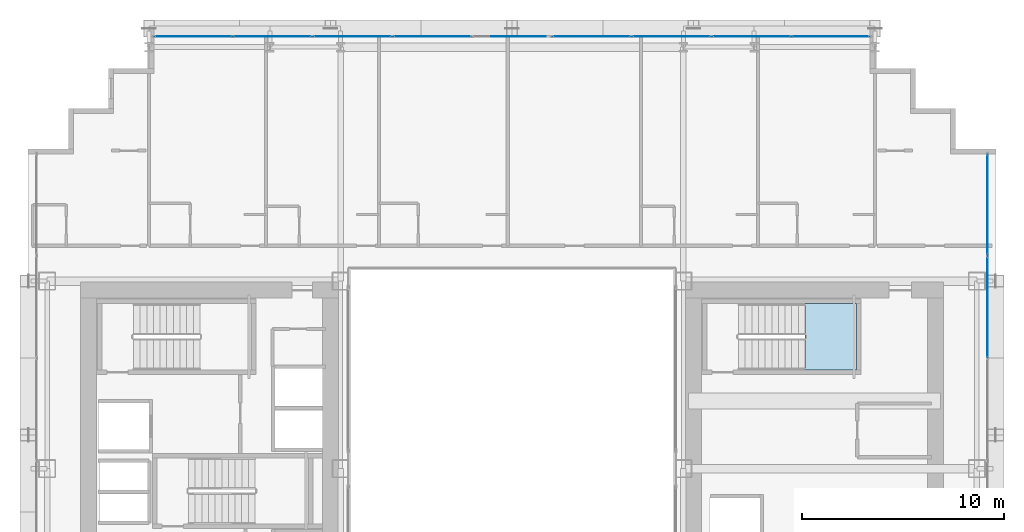
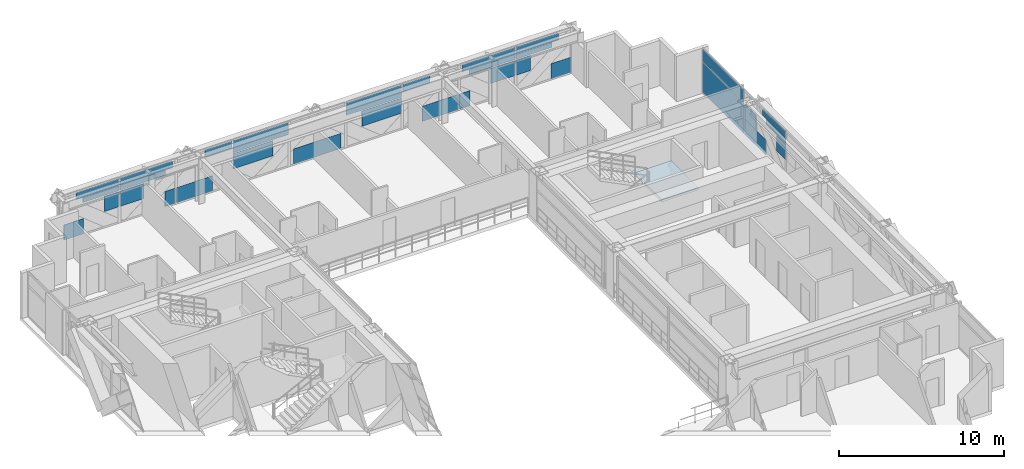
# One storey, part 30 of 41: 32 plates, 1 slab, 3 elements without a shape of their own.
"""IFC4 building model written with IfcOpenShell, lengths in metres."""

from ifc_helpers import new_model, si_unit, direction, frame, origin, origin_2d, place, context, subcontext, project, spatial, polyline, rectangle, outline, extrude, source, transform, mapped, material, layer, layer_set, type_object, element, aggregate, save


model = new_model("IFC4")

# Units and contexts
model_context = context("Model", 3, precision=1e-05, world=origin(), true_north=direction((0.0, 1.0)))
body_context = subcontext(model_context, "Body", "Model", "MODEL_VIEW")
ifc_project = project(units=[si_unit("LENGTHUNIT", "METRE"), si_unit("AREAUNIT", "SQUARE_METRE"), si_unit("VOLUMEUNIT", "CUBIC_METRE"), si_unit("PLANEANGLEUNIT", "RADIAN"), si_unit("MASSUNIT", "GRAM", prefix="KILO")], contexts=[model_context])

# Site, building, storey
site_placement = place(None, origin())
site = spatial("IfcSite", under=ifc_project, at=site_placement, CompositionType="ELEMENT")
building_placement = place(site_placement, origin())
building = spatial("IfcBuilding", under=site, at=building_placement, Name="Ocotamira Hotel", CompositionType="ELEMENT")
storey_placement = place(building_placement, frame((0.0, 0.0, 52.800048828125)))
storey = spatial("IfcBuildingStorey", under=building, at=storey_placement, Name="L12", CompositionType="ELEMENT", Elevation=52.800048828125)

# Stair, slab
ifc_material_1 = material(Name="Concrete C40/50", Category="concrete")
stair_type = type_object("IfcStairType", Name="ST-CORE-1560", PredefinedType="HALF_TURN_STAIR", material=ifc_material_1)
stair_placement = place(storey_placement, origin())
stair = element("IfcStair", 1, at=stair_placement, inside=storey, type_object=stair_type, Name="L12 Exit Stair ST-4", PredefinedType="HALF_TURN_STAIR")
ifc_layer_1 = layer(ifc_material_1, 0.199951171875)
ifc_layer_set_1 = layer_set([ifc_layer_1], Name="Concrete C40/50")
slab_type = type_object("IfcSlabType", Name="SLB-LAND-200", PredefinedType="LANDING", material=ifc_layer_set_1)
slab_placement = place(storey_placement, frame((0.0, 0.0, 1.599853515625)))
slab = element("IfcSlab", 2, at=slab_placement, type_object=slab_type, Name="ST-4 landing 1", PredefinedType="LANDING", context=body_context, shape_type="SweptSolid", body=[
    extrude(outline(polyline([(46.530029296875, 33.050048828125), (49.090087890625, 33.050048828125), (49.090087890625, 36.330078125), (46.530029296875, 36.330078125), (46.530029296875, 33.050048828125)])), origin(), (0.0, 0.0, 1.0), 0.2001953125),
])
aggregate(stair, [slab])

# Curtain wall, plates
ifc_material_2 = material(Name="Anodised pale-metal aluminium and solar glass", Category="aluminium")
ifc_layer_2 = layer(ifc_material_2, 0.179931640625)
ifc_layer_set_2 = layer_set([ifc_layer_2], Name="Anodised pale-metal aluminium and solar glass")
curtain_wall_type = type_object("IfcCurtainWallType", Name="CW-SYS2-Z1", PredefinedType="NOTDEFINED", material=ifc_layer_set_2)
curtain_wall_1_placement = place(storey_placement, origin())
curtain_wall_1 = element("IfcCurtainWall", 3, at=curtain_wall_1_placement, inside=storey, type_object=curtain_wall_type, Name="L12 Curtain Wall CW-2 CW-L12-N", PredefinedType="NOTDEFINED")
ifc_material_3 = material(Name="Double-silver low-E insulated solar glass", Category="glass")
ifc_layer_3 = layer(ifc_material_3, 0.031982421875)
ifc_layer_set_3 = layer_set([ifc_layer_3], Name="Double-silver low-E insulated solar glass")
plate_type = type_object("IfcPlateType", Name="CWP-VISION-32", PredefinedType="CURTAIN_PANEL", material=ifc_layer_set_3)
shared_shape_1 = source(origin(), body_context, "Body", "SweptSolid", [
    extrude(rectangle(XDim=3.87548828125, YDim=0.031982421875, at=origin_2d()), origin(), (0.0, 0.0, 1.0), 0.887451171875),
])
plate_1_placement = place(storey_placement, frame((28.04443359375, 49.580078125, 2.3876953125), z_axis=(0.0, 0.0, 1.0), x_axis=(1.0, 0.0, 0.0)))
plate_1 = element("IfcPlate", 4, at=plate_1_placement, type_object=plate_type, Name="CW-2 panel 4.2", PredefinedType="CURTAIN_PANEL", context=body_context, shape_type="MappedRepresentation", body=[
    mapped(shared_shape_1, transform((0.0, 0.0, 0.0), scale=1.0)),
])
plate_2_placement = place(storey_placement, frame((35.95556640625, 49.580078125, 2.3876953125), z_axis=(0.0, 0.0, 1.0), x_axis=(1.0, 0.0, 0.0)))
plate_2 = element("IfcPlate", 5, at=plate_2_placement, type_object=plate_type, Name="CW-2 panel 6.2", PredefinedType="CURTAIN_PANEL", context=body_context, shape_type="MappedRepresentation", body=[
    mapped(shared_shape_1, transform((0.0, 0.0, 0.0), scale=1.0)),
])

curtain_wall_2_placement = place(storey_placement, origin())
curtain_wall_2 = element("IfcCurtainWall", 6, at=curtain_wall_2_placement, inside=storey, type_object=curtain_wall_type, Name="L12 Curtain Wall CW-2 CW-L12-E", PredefinedType="NOTDEFINED")
shared_shape_2 = source(origin(), body_context, "Body", "SweptSolid", [
    extrude(rectangle(XDim=4.9658203125, YDim=0.031982421875, at=origin_2d()), origin(), (0.0, 0.0, 1.0), 2.237548828125),
])
plate_3_placement = place(storey_placement, frame((55.580078125, 41.237060546875, 0.07470703125), z_axis=(0.0, 0.0, 1.0), x_axis=(0.0, 1.0, 0.0)))
plate_3 = element("IfcPlate", 7, at=plate_3_placement, type_object=plate_type, Name="CW-2 panel 7.1", PredefinedType="CURTAIN_PANEL", context=body_context, shape_type="MappedRepresentation", body=[
    mapped(shared_shape_2, transform((0.0, 0.0, 0.0), scale=1.0)),
])
shared_shape_3 = source(origin(), body_context, "Body", "SweptSolid", [
    extrude(rectangle(XDim=4.9658203125, YDim=0.031982421875, at=origin_2d()), origin(), (0.0, 0.0, 1.0), 0.887451171875),
])
plate_4_placement = place(storey_placement, frame((55.580078125, 41.237060546875, 2.3876953125), z_axis=(0.0, 0.0, 1.0), x_axis=(0.0, 1.0, 0.0)))
plate_4 = element("IfcPlate", 8, at=plate_4_placement, type_object=plate_type, Name="CW-2 panel 7.2", PredefinedType="CURTAIN_PANEL", context=body_context, shape_type="MappedRepresentation", body=[
    mapped(shared_shape_3, transform((0.0, 0.0, 0.0), scale=1.0)),
])

# Plate
shared_shape_4 = source(origin(), body_context, "Body", "SweptSolid", [
    extrude(rectangle(XDim=1.382568359375, YDim=0.031982421875, at=origin_2d()), origin(), (0.0, 0.0, 1.0), 1.11865234375),
])
plate_5_placement = place(storey_placement, frame((14.97119140625, 49.580078125, 0.074951171875), z_axis=(0.0, 0.0, 1.0), x_axis=(1.0, 0.0, 0.0)))
plate_5 = element("IfcPlate", 9, at=plate_5_placement, type_object=plate_type, Name="CW-2 panel 1.1.1", PredefinedType="CURTAIN_PANEL", context=body_context, shape_type="MappedRepresentation", body=[
    mapped(shared_shape_4, transform((0.0, 0.0, 0.0), scale=1.0)),
])

plate_6_placement = place(storey_placement, frame((49.02880859375, 49.580078125, 0.074951171875), z_axis=(0.0, 0.0, 1.0), x_axis=(1.0, 0.0, 0.0)))
plate_6 = element("IfcPlate", 10, at=plate_6_placement, type_object=plate_type, Name="CW-2 panel 9.1.2", PredefinedType="CURTAIN_PANEL", context=body_context, shape_type="MappedRepresentation", body=[
    mapped(shared_shape_4, transform((0.0, 0.0, 0.0), scale=1.0)),
])

shared_shape_5 = source(origin(), body_context, "Body", "SweptSolid", [
    extrude(rectangle(XDim=1.012451171875, YDim=0.031982421875, at=origin_2d()), origin(), (0.0, 0.0, 1.0), 1.11865234375),
])
plate_7_placement = place(storey_placement, frame((17.609375, 49.580078125, 1.193603515625), z_axis=(0.0, 0.0, 1.0), x_axis=(1.0, 0.0, 0.0)))
plate_7 = element("IfcPlate", 11, at=plate_7_placement, type_object=plate_type, Name="CW-2 panel 1.1.2", PredefinedType="CURTAIN_PANEL", context=body_context, shape_type="MappedRepresentation", body=[
    mapped(shared_shape_5, transform((0.0, 0.0, 0.0), scale=1.0)),
])

plate_8_placement = place(storey_placement, frame((46.390625, 49.580078125, 1.193603515625), z_axis=(0.0, 0.0, 1.0), x_axis=(1.0, 0.0, 0.0)))
plate_8 = element("IfcPlate", 12, at=plate_8_placement, type_object=plate_type, Name="CW-2 panel 9.1.1", PredefinedType="CURTAIN_PANEL", context=body_context, shape_type="MappedRepresentation", body=[
    mapped(shared_shape_5, transform((0.0, 0.0, 0.0), scale=1.0)),
])

shared_shape_6 = source(origin(), body_context, "Body", "SweptSolid", [
    extrude(rectangle(XDim=2.9755859375, YDim=0.031982421875, at=origin_2d()), origin(), (0.0, 0.0, 1.0), 0.5107421875),
])
plate_9_placement = place(storey_placement, frame((16.627685546875, 49.580078125, 2.76416015625), z_axis=(0.0, 0.0, 1.0), x_axis=(1.0, 0.0, 0.0)))
plate_9 = element("IfcPlate", 13, at=plate_9_placement, type_object=plate_type, Name="CW-2 panel 1.2.1", PredefinedType="CURTAIN_PANEL", context=body_context, shape_type="MappedRepresentation", body=[
    mapped(shared_shape_6, transform((0.0, 0.0, 0.0), scale=1.0)),
])

plate_10_placement = place(storey_placement, frame((47.372314453125, 49.580078125, 2.76416015625), z_axis=(0.0, 0.0, 1.0), x_axis=(1.0, 0.0, 0.0)))
plate_10 = element("IfcPlate", 14, at=plate_10_placement, type_object=plate_type, Name="CW-2 panel 9.2.2", PredefinedType="CURTAIN_PANEL", context=body_context, shape_type="MappedRepresentation", body=[
    mapped(shared_shape_6, transform((0.0, 0.0, 0.0), scale=1.0)),
])

shared_shape_7 = source(origin(), body_context, "Body", "SweptSolid", [
    extrude(rectangle(XDim=2.504638671875, YDim=0.031982421875, at=origin_2d()), origin(), (0.0, 0.0, 1.0), 0.345458984375),
])
plate_11_placement = place(storey_placement, frame((16.86328125, 49.580078125, 2.38720703125), z_axis=(0.0, 0.0, 1.0), x_axis=(1.0, 0.0, 0.0)))
plate_11 = element("IfcPlate", 15, at=plate_11_placement, type_object=plate_type, Name="CW-2 panel 1.2.2", PredefinedType="CURTAIN_PANEL", context=body_context, shape_type="MappedRepresentation", body=[
    mapped(shared_shape_7, transform((0.0, 0.0, 0.0), scale=1.0)),
])

plate_12_placement = place(storey_placement, frame((47.13671875, 49.580078125, 2.38720703125), z_axis=(0.0, 0.0, 1.0), x_axis=(1.0, 0.0, 0.0)))
plate_12 = element("IfcPlate", 16, at=plate_12_placement, type_object=plate_type, Name="CW-2 panel 9.2.1", PredefinedType="CURTAIN_PANEL", context=body_context, shape_type="MappedRepresentation", body=[
    mapped(shared_shape_7, transform((0.0, 0.0, 0.0), scale=1.0)),
])

shared_shape_8 = source(origin(), body_context, "Body", "SweptSolid", [
    extrude(rectangle(XDim=1.701416015625, YDim=0.031982421875, at=origin_2d()), origin(), (0.0, 0.0, 1.0), 1.11865234375),
])
plate_13_placement = place(storey_placement, frame((19.046142578125, 49.580078125, 1.193603515625), z_axis=(0.0, 0.0, 1.0), x_axis=(1.0, 0.0, 0.0)))
plate_13 = element("IfcPlate", 17, at=plate_13_placement, type_object=plate_type, Name="CW-2 panel 2.1.1", PredefinedType="CURTAIN_PANEL", context=body_context, shape_type="MappedRepresentation", body=[
    mapped(shared_shape_8, transform((0.0, 0.0, 0.0), scale=1.0)),
])

plate_14_placement = place(storey_placement, frame((44.953857421875, 49.580078125, 1.193603515625), z_axis=(0.0, 0.0, 1.0), x_axis=(1.0, 0.0, 0.0)))
plate_14 = element("IfcPlate", 18, at=plate_14_placement, type_object=plate_type, Name="CW-2 panel 8.1.2", PredefinedType="CURTAIN_PANEL", context=body_context, shape_type="MappedRepresentation", body=[
    mapped(shared_shape_8, transform((0.0, 0.0, 0.0), scale=1.0)),
])

shared_shape_9 = source(origin(), body_context, "Body", "SweptSolid", [
    extrude(rectangle(XDim=0.733642578125, YDim=0.031982421875, at=origin_2d()), origin(), (0.0, 0.0, 1.0), 1.11865234375),
])
plate_15_placement = place(storey_placement, frame((21.704345703125, 49.580078125, 0.074951171875), z_axis=(0.0, 0.0, 1.0), x_axis=(1.0, 0.0, 0.0)))
plate_15 = element("IfcPlate", 19, at=plate_15_placement, type_object=plate_type, Name="CW-2 panel 2.1.2", PredefinedType="CURTAIN_PANEL", context=body_context, shape_type="MappedRepresentation", body=[
    mapped(shared_shape_9, transform((0.0, 0.0, 0.0), scale=1.0)),
])

plate_16_placement = place(storey_placement, frame((42.295654296875, 49.580078125, 0.074951171875), z_axis=(0.0, 0.0, 1.0), x_axis=(1.0, 0.0, 0.0)))
plate_16 = element("IfcPlate", 20, at=plate_16_placement, type_object=plate_type, Name="CW-2 panel 8.1.1", PredefinedType="CURTAIN_PANEL", context=body_context, shape_type="MappedRepresentation", body=[
    mapped(shared_shape_9, transform((0.0, 0.0, 0.0), scale=1.0)),
])

shared_shape_10 = source(origin(), body_context, "Body", "SweptSolid", [
    extrude(rectangle(XDim=3.193603515625, YDim=0.031982421875, at=origin_2d()), origin(), (0.0, 0.0, 1.0), 0.376708984375),
])
plate_17_placement = place(storey_placement, frame((19.792236328125, 49.580078125, 2.3876953125), z_axis=(0.0, 0.0, 1.0), x_axis=(1.0, 0.0, 0.0)))
plate_17 = element("IfcPlate", 21, at=plate_17_placement, type_object=plate_type, Name="CW-2 panel 2.2.1", PredefinedType="CURTAIN_PANEL", context=body_context, shape_type="MappedRepresentation", body=[
    mapped(shared_shape_10, transform((0.0, 0.0, 0.0), scale=1.0)),
])

plate_18_placement = place(storey_placement, frame((44.207763671875, 49.580078125, 2.3876953125), z_axis=(0.0, 0.0, 1.0), x_axis=(1.0, 0.0, 0.0)))
plate_18 = element("IfcPlate", 22, at=plate_18_placement, type_object=plate_type, Name="CW-2 panel 8.2.2", PredefinedType="CURTAIN_PANEL", context=body_context, shape_type="MappedRepresentation", body=[
    mapped(shared_shape_10, transform((0.0, 0.0, 0.0), scale=1.0)),
])

shared_shape_11 = source(origin(), body_context, "Body", "SweptSolid", [
    extrude(rectangle(XDim=3.664306640625, YDim=0.031982421875, at=origin_2d()), origin(), (0.0, 0.0, 1.0), 0.5107421875),
])
plate_19_placement = place(storey_placement, frame((20.027587890625, 49.580078125, 2.76416015625), z_axis=(0.0, 0.0, 1.0), x_axis=(1.0, 0.0, 0.0)))
plate_19 = element("IfcPlate", 23, at=plate_19_placement, type_object=plate_type, Name="CW-2 panel 2.2.2", PredefinedType="CURTAIN_PANEL", context=body_context, shape_type="MappedRepresentation", body=[
    mapped(shared_shape_11, transform((0.0, 0.0, 0.0), scale=1.0)),
])

plate_20_placement = place(storey_placement, frame((43.972412109375, 49.580078125, 2.76416015625), z_axis=(0.0, 0.0, 1.0), x_axis=(1.0, 0.0, 0.0)))
plate_20 = element("IfcPlate", 24, at=plate_20_placement, type_object=plate_type, Name="CW-2 panel 8.2.1", PredefinedType="CURTAIN_PANEL", context=body_context, shape_type="MappedRepresentation", body=[
    mapped(shared_shape_11, transform((0.0, 0.0, 0.0), scale=1.0)),
])

shared_shape_12 = source(origin(), body_context, "Body", "SweptSolid", [
    extrude(rectangle(XDim=2.51123046875, YDim=0.031982421875, at=origin_2d()), origin(), (0.0, 0.0, 1.0), 1.11865234375),
])
plate_21_placement = place(storey_placement, frame((23.40673828125, 49.580078125, 0.074951171875), z_axis=(0.0, 0.0, 1.0), x_axis=(1.0, 0.0, 0.0)))
plate_21 = element("IfcPlate", 25, at=plate_21_placement, type_object=plate_type, Name="CW-2 panel 3.1.1", PredefinedType="CURTAIN_PANEL", context=body_context, shape_type="MappedRepresentation", body=[
    mapped(shared_shape_12, transform((0.0, 0.0, 0.0), scale=1.0)),
])

shared_shape_13 = source(origin(), body_context, "Body", "SweptSolid", [
    extrude(rectangle(XDim=1.88671875, YDim=0.031982421875, at=origin_2d()), origin(), (0.0, 0.0, 1.0), 0.5107421875),
])
plate_22_placement = place(storey_placement, frame((25.08349609375, 49.580078125, 2.76416015625), z_axis=(0.0, 0.0, 1.0), x_axis=(1.0, 0.0, 0.0)))
plate_22 = element("IfcPlate", 26, at=plate_22_placement, type_object=plate_type, Name="CW-2 panel 3.2.1", PredefinedType="CURTAIN_PANEL", context=body_context, shape_type="MappedRepresentation", body=[
    mapped(shared_shape_13, transform((0.0, 0.0, 0.0), scale=1.0)),
])

plate_23_placement = place(storey_placement, frame((38.91650390625, 49.580078125, 2.76416015625), z_axis=(0.0, 0.0, 1.0), x_axis=(1.0, 0.0, 0.0)))
plate_23 = element("IfcPlate", 27, at=plate_23_placement, type_object=plate_type, Name="CW-2 panel 7.2.1", PredefinedType="CURTAIN_PANEL", context=body_context, shape_type="MappedRepresentation", body=[
    mapped(shared_shape_13, transform((0.0, 0.0, 0.0), scale=1.0)),
])

shared_shape_14 = source(origin(), body_context, "Body", "SweptSolid", [
    extrude(rectangle(XDim=2.790283203125, YDim=0.031982421875, at=origin_2d()), origin(), (0.0, 0.0, 1.0), 1.11865234375),
])
plate_24_placement = place(storey_placement, frame((27.501708984375, 49.580078125, 1.193603515625), z_axis=(0.0, 0.0, 1.0), x_axis=(1.0, 0.0, 0.0)))
plate_24 = element("IfcPlate", 28, at=plate_24_placement, type_object=plate_type, Name="CW-2 panel 4.1.1", PredefinedType="CURTAIN_PANEL", context=body_context, shape_type="MappedRepresentation", body=[
    mapped(shared_shape_14, transform((0.0, 0.0, 0.0), scale=1.0)),
])

plate_25_placement = place(storey_placement, frame((36.498291015625, 49.580078125, 1.193603515625), z_axis=(0.0, 0.0, 1.0), x_axis=(1.0, 0.0, 0.0)))
plate_25 = element("IfcPlate", 29, at=plate_25_placement, type_object=plate_type, Name="CW-2 panel 6.1.1", PredefinedType="CURTAIN_PANEL", context=body_context, shape_type="MappedRepresentation", body=[
    mapped(shared_shape_14, transform((0.0, 0.0, 0.0), scale=1.0)),
])

shared_shape_15 = source(origin(), body_context, "Body", "SweptSolid", [
    extrude(rectangle(XDim=3.324951171875, YDim=0.031982421875, at=origin_2d()), origin(), (0.0, 0.0, 1.0), 1.11865234375),
])
plate_26_placement = place(storey_placement, frame((32.0, 49.580078125, 0.074951171875), z_axis=(0.0, 0.0, 1.0), x_axis=(1.0, 0.0, 0.0)))
plate_26 = element("IfcPlate", 30, at=plate_26_placement, type_object=plate_type, Name="CW-2 panel 5.1.1", PredefinedType="CURTAIN_PANEL", context=body_context, shape_type="MappedRepresentation", body=[
    mapped(shared_shape_15, transform((0.0, 0.0, 0.0), scale=1.0)),
])

shared_shape_16 = source(origin(), body_context, "Body", "SweptSolid", [
    extrude(rectangle(XDim=2.511474609375, YDim=0.031982421875, at=origin_2d()), origin(), (0.0, 0.0, 1.0), 1.11865234375),
])
plate_27_placement = place(storey_placement, frame((40.59326171875, 49.580078125, 0.074951171875), z_axis=(0.0, 0.0, 1.0), x_axis=(1.0, 0.0, 0.0)))
plate_27 = element("IfcPlate", 31, at=plate_27_placement, type_object=plate_type, Name="CW-2 panel 7.1.1", PredefinedType="CURTAIN_PANEL", context=body_context, shape_type="MappedRepresentation", body=[
    mapped(shared_shape_16, transform((0.0, 0.0, 0.0), scale=1.0)),
])

aggregate(curtain_wall_1, [plate_5, plate_7, plate_9, plate_11, plate_13, plate_15, plate_17, plate_19, plate_21, plate_22, plate_24, plate_1, plate_26, plate_25, plate_2, plate_27, plate_23, plate_16, plate_14, plate_20, plate_18, plate_8, plate_6, plate_12, plate_10])

shared_shape_17 = source(origin(), body_context, "Body", "SweptSolid", [
    extrude(rectangle(XDim=2.58935546875, YDim=0.031982421875, at=origin_2d()), origin(), (0.0, 0.0, 1.0), 1.11865234375),
])
plate_28_placement = place(storey_placement, frame((55.580078125, 37.379638671875, 0.074951171875), z_axis=(0.0, 0.0, 1.0), x_axis=(0.0, 1.0, 0.0)))
plate_28 = element("IfcPlate", 32, at=plate_28_placement, type_object=plate_type, Name="CW-2 panel 6.1.2", PredefinedType="CURTAIN_PANEL", context=body_context, shape_type="MappedRepresentation", body=[
    mapped(shared_shape_17, transform((0.0, 0.0, 0.0), scale=1.0)),
])

shared_shape_18 = source(origin(), body_context, "Body", "SweptSolid", [
    extrude(rectangle(XDim=1.4033203125, YDim=0.031982421875, at=origin_2d()), origin(), (0.0, 0.0, 1.0), 1.11865234375),
])
plate_29_placement = place(storey_placement, frame((55.580078125, 37.97265625, 1.193603515625), z_axis=(0.0, 0.0, 1.0), x_axis=(0.0, 1.0, 0.0)))
plate_29 = element("IfcPlate", 33, at=plate_29_placement, type_object=plate_type, Name="CW-2 panel 6.1.3", PredefinedType="CURTAIN_PANEL", context=body_context, shape_type="MappedRepresentation", body=[
    mapped(shared_shape_18, transform((0.0, 0.0, 0.0), scale=1.0)),
])

shared_shape_19 = source(origin(), body_context, "Body", "SweptSolid", [
    extrude(rectangle(XDim=1.104736328125, YDim=0.031982421875, at=origin_2d()), origin(), (0.0, 0.0, 1.0), 1.11865234375),
])
plate_30_placement = place(storey_placement, frame((55.580078125, 34.220947265625, 1.193603515625), z_axis=(0.0, 0.0, 1.0), x_axis=(0.0, 1.0, 0.0)))
plate_30 = element("IfcPlate", 34, at=plate_30_placement, type_object=plate_type, Name="CW-2 panel 6.1.1", PredefinedType="CURTAIN_PANEL", context=body_context, shape_type="MappedRepresentation", body=[
    mapped(shared_shape_19, transform((0.0, 0.0, 0.0), scale=1.0)),
])

shared_shape_20 = source(origin(), body_context, "Body", "SweptSolid", [
    extrude(rectangle(XDim=2.796630859375, YDim=0.031982421875, at=origin_2d()), origin(), (0.0, 0.0, 1.0), 0.485107421875),
])
plate_31_placement = place(storey_placement, frame((55.580078125, 35.06689453125, 2.7900390625), z_axis=(0.0, 0.0, 1.0), x_axis=(0.0, 1.0, 0.0)))
plate_31 = element("IfcPlate", 35, at=plate_31_placement, type_object=plate_type, Name="CW-2 panel 6.2.2", PredefinedType="CURTAIN_PANEL", context=body_context, shape_type="MappedRepresentation", body=[
    mapped(shared_shape_20, transform((0.0, 0.0, 0.0), scale=1.0)),
])

shared_shape_21 = source(origin(), body_context, "Body", "SweptSolid", [
    extrude(rectangle(XDim=2.3701171875, YDim=0.031982421875, at=origin_2d()), origin(), (0.0, 0.0, 1.0), 0.367919921875),
])
plate_32_placement = place(storey_placement, frame((55.580078125, 34.853759765625, 2.3876953125), z_axis=(0.0, 0.0, 1.0), x_axis=(0.0, 1.0, 0.0)))
plate_32 = element("IfcPlate", 36, at=plate_32_placement, type_object=plate_type, Name="CW-2 panel 6.2.1", PredefinedType="CURTAIN_PANEL", context=body_context, shape_type="MappedRepresentation", body=[
    mapped(shared_shape_21, transform((0.0, 0.0, 0.0), scale=1.0)),
])

aggregate(curtain_wall_2, [plate_30, plate_28, plate_29, plate_32, plate_31, plate_3, plate_4])

save(model, "model.ifc")
